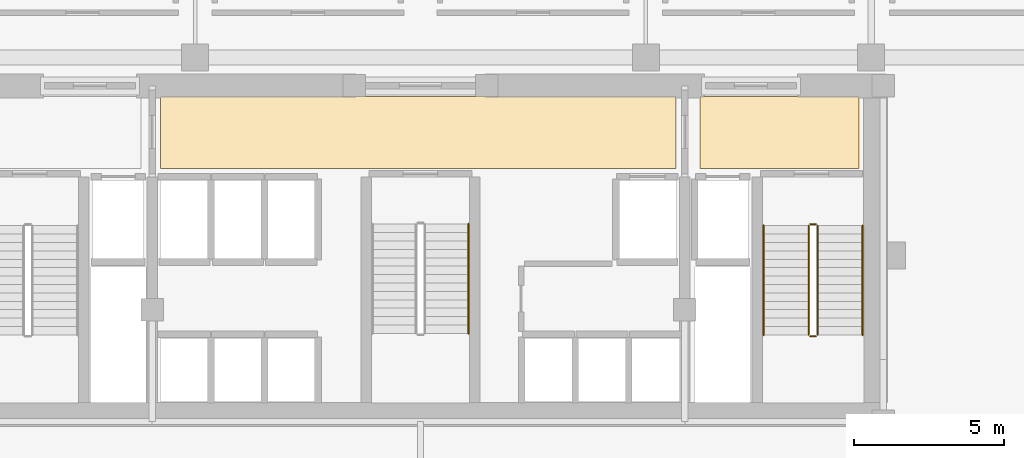
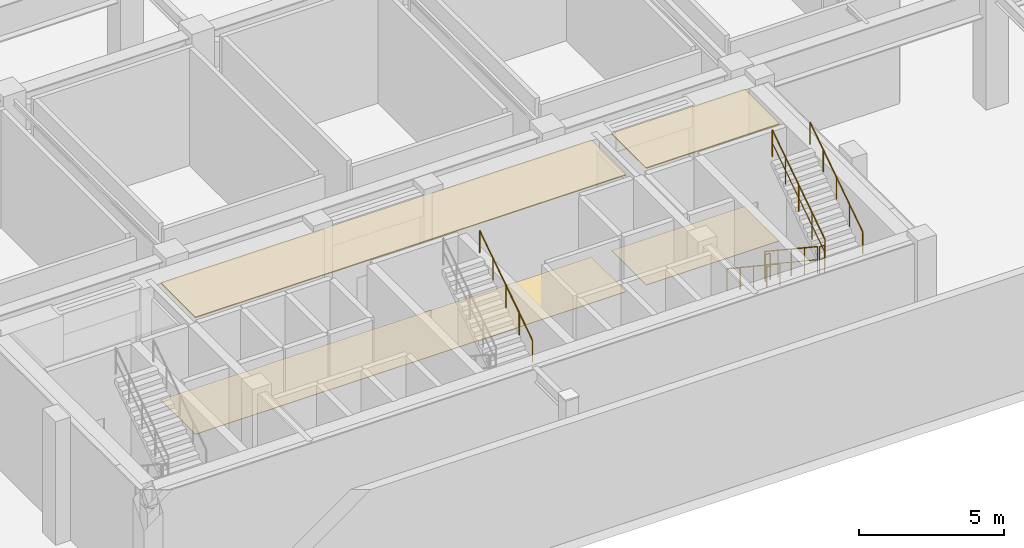
# One storey, part 13 of 14: 7 railings, 4 coverings.
"""IFC4 building model written with IfcOpenShell, lengths in metres."""

from ifc_helpers import new_model, si_unit, direction, frame, origin, origin_2d, place, context, subcontext, project, spatial, polyline, circle, outline, extrude, material, layer, layer_set, type_object, element, save


model = new_model("IFC4")

# Units and contexts
model_context = context("Model", 3, precision=1e-05, world=origin(), true_north=direction((0.0, 1.0)))
body_context = subcontext(model_context, "Body", "Model", "MODEL_VIEW")
ifc_project = project(units=[si_unit("LENGTHUNIT", "METRE"), si_unit("AREAUNIT", "SQUARE_METRE"), si_unit("VOLUMEUNIT", "CUBIC_METRE"), si_unit("PLANEANGLEUNIT", "RADIAN"), si_unit("MASSUNIT", "GRAM", prefix="KILO")], contexts=[model_context])

# Site, building, storey
site_placement = place(None, origin())
site = spatial("IfcSite", under=ifc_project, at=site_placement, CompositionType="ELEMENT")
building_placement = place(site_placement, origin())
building = spatial("IfcBuilding", under=site, at=building_placement, Name="Ventersveld Concourse Tower", CompositionType="ELEMENT")
storey_placement = place(building_placement, frame((0.0, 0.0, 24.60009765625)))
storey = spatial("IfcBuildingStorey", under=building, at=storey_placement, Name="L05", CompositionType="ELEMENT", Elevation=24.60009765625)

# Coverings
ifc_material_1 = material(Name="Mineral-fibre acoustic ceiling tile", Category="gypsum")
ifc_layer_1 = layer(ifc_material_1, 0.0400390625)
ifc_layer_set_1 = layer_set([ifc_layer_1], Name="Mineral-fibre acoustic ceiling tile")
covering_type_1 = type_object("IfcCoveringType", Name="COV-CEIL-ACOUSTIC", PredefinedType="CEILING", material=ifc_layer_set_1)
covering_1_placement = place(storey_placement, frame((0.0, 0.0, 4.909912109375)))
element("IfcCovering", 1, at=covering_1_placement, inside=storey, type_object=covering_type_1, Name="L05 North Lift Lobby Acoustic Ceiling", PredefinedType="CEILING", context=body_context, shape_type="SweptSolid", body=[
    extrude(outline(polyline([(20.10009765625, 8.699951171875), (37.25, 8.699951171875), (37.25, 11.10009765625), (20.10009765625, 11.10009765625), (20.10009765625, 8.699951171875)])), origin(), (0.0, 0.0, 1.0), 0.0400390625),
])
covering_2_placement = place(storey_placement, frame((0.0, 0.0, 4.909912109375)))
element("IfcCovering", 2, at=covering_2_placement, inside=storey, type_object=covering_type_1, Name="L05 East Firefighting Lobby Acoustic Ceiling", PredefinedType="CEILING", context=body_context, shape_type="SweptSolid", body=[
    extrude(outline(polyline([(38.050048828125, 8.699951171875), (43.35009765625, 8.699951171875), (43.35009765625, 11.10009765625), (38.050048828125, 11.10009765625), (38.050048828125, 8.699951171875)])), origin(), (0.0, 0.0, 1.0), 0.0400390625),
])
ifc_material_2 = material(Name="Polished Highveld granite terrazzo", Category="masonry")
ifc_layer_2 = layer(ifc_material_2, 0.02001953125)
ifc_layer_set_2 = layer_set([ifc_layer_2], Name="Polished Highveld granite terrazzo")
covering_type_2 = type_object("IfcCoveringType", Name="COV-FLOOR-TERRAZZO", PredefinedType="FLOORING", material=ifc_layer_set_2)
covering_3_placement = place(storey_placement, origin())
element("IfcCovering", 3, at=covering_3_placement, inside=storey, type_object=covering_type_2, Name="L05 North Lift Lobby Terrazzo Flooring", PredefinedType="FLOORING", context=body_context, shape_type="SweptSolid", body=[
    extrude(outline(polyline([(20.10009765625, 8.699951171875), (37.25, 8.699951171875), (37.25, 11.10009765625), (20.10009765625, 11.10009765625), (20.10009765625, 8.699951171875)])), origin(), (0.0, 0.0, 1.0), 0.02001953125),
])
covering_4_placement = place(storey_placement, origin())
element("IfcCovering", 4, at=covering_4_placement, inside=storey, type_object=covering_type_2, Name="L05 East Firefighting Lobby Terrazzo Flooring", PredefinedType="FLOORING", context=body_context, shape_type="SweptSolid", body=[
    extrude(outline(polyline([(38.050048828125, 8.699951171875), (43.35009765625, 8.699951171875), (43.35009765625, 11.10009765625), (38.050048828125, 11.10009765625), (38.050048828125, 8.699951171875)])), origin(), (0.0, 0.0, 1.0), 0.02001953125),
])

# Railings
ifc_material_3 = material(Name="Brushed stainless steel 316", Category="steel")
railing_type_1 = type_object("IfcRailingType", Name="GD-BAL-115", PredefinedType="GUARDRAIL", material=ifc_material_3)
railing_1_placement = place(storey_placement, frame((41.669921875, 6.800048828125, 0.185546875)))
element("IfcRailing", 5, at=railing_1_placement, inside=storey, type_object=railing_type_1, Name="L05 ST-02 stair guard 1", PredefinedType="GUARDRAIL", context=body_context, shape_type="SweptSolid", body=[
    extrude(circle(Radius=0.02392578125, at=origin_2d()), frame((0.0, 0.0, 1.1259765625), z_axis=(0.0, -0.833363587613, 0.552725185641), x_axis=(1.0, 0.0, 0.0)), (0.0, 0.0, 1.0), 4.367919921875),
    extrude(circle(Radius=0.01611328125, at=origin_2d()), frame((0.0, 0.0, 0.574951171875), z_axis=(0.0, -0.833363587613, 0.552725185641), x_axis=(1.0, 0.0, 0.0)), (0.0, 0.0, 1.0), 4.367919921875),
    extrude(circle(Radius=0.02099609375, at=origin_2d()), origin(), (0.0, 0.0, 1.0), 1.101806640625),
    extrude(circle(Radius=0.02099609375, at=origin_2d()), frame((0.0, -0.91015625, 0.603515625)), (0.0, 0.0, 1.0), 1.101806640625),
    extrude(circle(Radius=0.02099609375, at=origin_2d()), frame((0.0, -1.820068359375, 1.20703125)), (0.0, 0.0, 1.0), 1.101806640625),
    extrude(circle(Radius=0.02099609375, at=origin_2d()), frame((0.0, -2.72998046875, 1.810791015625)), (0.0, 0.0, 1.0), 1.101806640625),
    extrude(circle(Radius=0.02099609375, at=origin_2d()), frame((0.0, -3.64013671875, 2.414306640625)), (0.0, 0.0, 1.0), 1.101806640625),
])
railing_2_placement = place(storey_placement, frame((41.719970703125, 3.110107421875, 2.599853515625)))
element("IfcRailing", 6, at=railing_2_placement, inside=storey, type_object=railing_type_1, Name="L05 ST-02 stair guard 2", PredefinedType="GUARDRAIL", context=body_context, shape_type="SweptSolid", body=[
    extrude(circle(Radius=0.02392578125, at=origin_2d()), frame((0.0, 0.0, 1.1259765625), z_axis=(1.0, 0.0, 0.0), x_axis=(0.0, 1.0, 0.0)), (0.0, 0.0, 1.0), 0.199951171875),
    extrude(circle(Radius=0.01611328125, at=origin_2d()), frame((0.0, 0.0, 0.574951171875), z_axis=(1.0, 0.0, 0.0), x_axis=(0.0, 1.0, 0.0)), (0.0, 0.0, 1.0), 0.199951171875),
    extrude(circle(Radius=0.02099609375, at=origin_2d()), origin(), (0.0, 0.0, 1.0), 1.101806640625),
    extrude(circle(Radius=0.02099609375, at=origin_2d()), frame((0.199951171875, 0.0, 0.0)), (0.0, 0.0, 1.0), 1.101806640625),
])
railing_3_placement = place(storey_placement, frame((41.969970703125, 3.159912109375, 2.78564453125)))
element("IfcRailing", 7, at=railing_3_placement, inside=storey, type_object=railing_type_1, Name="L05 ST-02 stair guard 3", PredefinedType="GUARDRAIL", context=body_context, shape_type="SweptSolid", body=[
    extrude(circle(Radius=0.02392578125, at=origin_2d()), frame((0.0, 0.0, 1.1259765625), z_axis=(0.0, 0.833363587613, 0.552725185641), x_axis=(-1.0, 0.0, 0.0)), (0.0, 0.0, 1.0), 4.367919921875),
    extrude(circle(Radius=0.01611328125, at=origin_2d()), frame((0.0, 0.0, 0.574951171875), z_axis=(0.0, 0.833363587613, 0.552725185641), x_axis=(-1.0, 0.0, 0.0)), (0.0, 0.0, 1.0), 4.367919921875),
    extrude(circle(Radius=0.02099609375, at=origin_2d()), origin(), (0.0, 0.0, 1.0), 1.101806640625),
    extrude(circle(Radius=0.02099609375, at=origin_2d()), frame((0.0, 0.91015625, 0.603515625)), (0.0, 0.0, 1.0), 1.101806640625),
    extrude(circle(Radius=0.02099609375, at=origin_2d()), frame((0.0, 1.820068359375, 1.20703125)), (0.0, 0.0, 1.0), 1.101806640625),
    extrude(circle(Radius=0.02099609375, at=origin_2d()), frame((0.0, 2.72998046875, 1.810791015625)), (0.0, 0.0, 1.0), 1.101806640625),
    extrude(circle(Radius=0.02099609375, at=origin_2d()), frame((0.0, 3.64013671875, 2.414306640625)), (0.0, 0.0, 1.0), 1.101806640625),
])
railing_4_placement = place(storey_placement, frame((41.719970703125, 6.85009765625, 0.0)))
element("IfcRailing", 8, at=railing_4_placement, inside=storey, type_object=railing_type_1, Name="L05 ST-02 stair guard 4", PredefinedType="GUARDRAIL", context=body_context, shape_type="SweptSolid", body=[
    extrude(circle(Radius=0.02392578125, at=origin_2d()), frame((0.0, 0.0, 1.1259765625), z_axis=(1.0, 0.0, 0.0), x_axis=(0.0, 1.0, 0.0)), (0.0, 0.0, 1.0), 0.199951171875),
    extrude(circle(Radius=0.01611328125, at=origin_2d()), frame((0.0, 0.0, 0.574951171875), z_axis=(1.0, 0.0, 0.0), x_axis=(0.0, 1.0, 0.0)), (0.0, 0.0, 1.0), 0.199951171875),
    extrude(circle(Radius=0.02099609375, at=origin_2d()), origin(), (0.0, 0.0, 1.0), 1.101806640625),
    extrude(circle(Radius=0.02099609375, at=origin_2d()), frame((0.199951171875, 0.0, 0.0)), (0.0, 0.0, 1.0), 1.101806640625),
])
railing_type_2 = type_object("IfcRailingType", Name="HR-RMP-095", PredefinedType="HANDRAIL", material=ifc_material_3)
railing_5_placement = place(storey_placement, frame((40.169921875, 6.800048828125, 0.185546875)))
element("IfcRailing", 9, at=railing_5_placement, inside=storey, type_object=railing_type_2, Name="L05 ST-02 stair handrail 1", PredefinedType="HANDRAIL", context=body_context, shape_type="SweptSolid", body=[
    extrude(circle(Radius=0.02392578125, at=origin_2d()), frame((0.0, 0.0, 0.92578125), z_axis=(0.0, -0.833363587613, 0.552725185641), x_axis=(1.0, 0.0, 0.0)), (0.0, 0.0, 1.0), 4.367919921875),
    extrude(circle(Radius=0.02099609375, at=origin_2d()), origin(), (0.0, 0.0, 1.0), 0.90185546875),
    extrude(circle(Radius=0.02099609375, at=origin_2d()), frame((0.0, -0.91015625, 0.603515625)), (0.0, 0.0, 1.0), 0.90185546875),
    extrude(circle(Radius=0.02099609375, at=origin_2d()), frame((0.0, -1.820068359375, 1.20703125)), (0.0, 0.0, 1.0), 0.90185546875),
    extrude(circle(Radius=0.02099609375, at=origin_2d()), frame((0.0, -2.72998046875, 1.810791015625)), (0.0, 0.0, 1.0), 0.90185546875),
    extrude(circle(Radius=0.02099609375, at=origin_2d()), frame((0.0, -3.64013671875, 2.414306640625)), (0.0, 0.0, 1.0), 0.90185546875),
])
for number, where, name in (
    (10, (43.469970703125, 3.159912109375, 2.78564453125), "L05 ST-02 stair handrail 2"),
    (11, (30.35009765625, 3.2099609375, 2.78564453125), "L05 ST-03 stair handrail 2"),
):
    element("IfcRailing", number, at=place(storey_placement, frame(where)), inside=storey, type_object=railing_type_2, Name=name, PredefinedType="HANDRAIL", context=body_context, shape_type="SweptSolid", body=[
        extrude(circle(Radius=0.02392578125, at=origin_2d()), frame((0.0, 0.0, 0.92578125), z_axis=(0.0, 0.833363587613, 0.552725185641), x_axis=(-1.0, 0.0, 0.0)), (0.0, 0.0, 1.0), 4.367919921875),
        extrude(circle(Radius=0.02099609375, at=origin_2d()), origin(), (0.0, 0.0, 1.0), 0.90185546875),
        extrude(circle(Radius=0.02099609375, at=origin_2d()), frame((0.0, 0.91015625, 0.603515625)), (0.0, 0.0, 1.0), 0.90185546875),
        extrude(circle(Radius=0.02099609375, at=origin_2d()), frame((0.0, 1.820068359375, 1.20703125)), (0.0, 0.0, 1.0), 0.90185546875),
        extrude(circle(Radius=0.02099609375, at=origin_2d()), frame((0.0, 2.72998046875, 1.810791015625)), (0.0, 0.0, 1.0), 0.90185546875),
        extrude(circle(Radius=0.02099609375, at=origin_2d()), frame((0.0, 3.64013671875, 2.414306640625)), (0.0, 0.0, 1.0), 0.90185546875),
    ])

save(model, "model.ifc")
